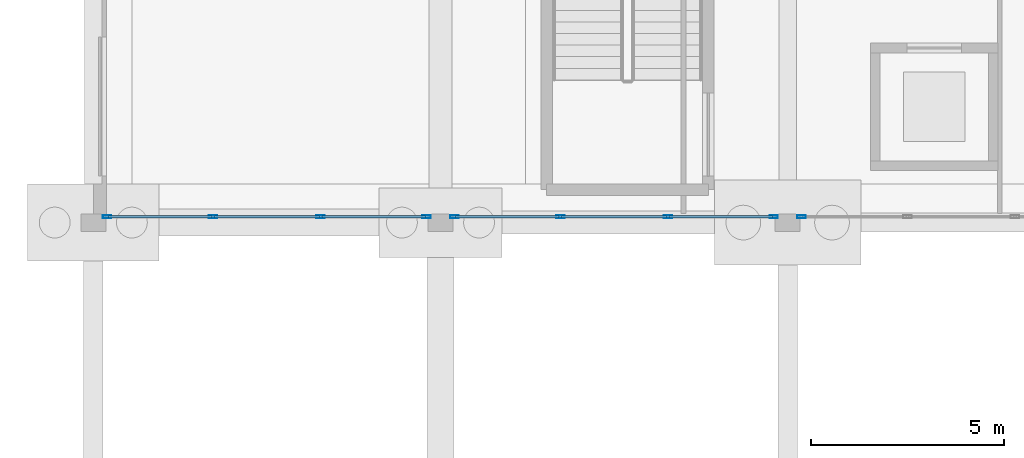
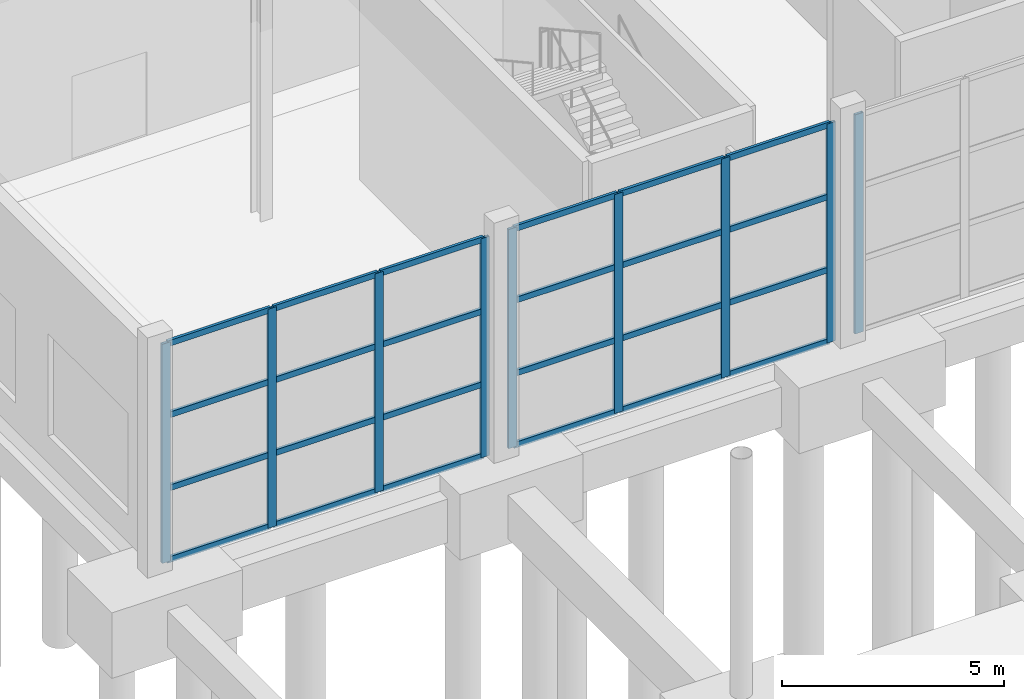
# One storey, part 48 of 115: 33 members, 3 elements without a shape of their own.
"""IFC4 building model written with IfcOpenShell, lengths in metres."""

from ifc_helpers import new_model, si_unit, direction, frame, origin, origin_2d, place, context, subcontext, project, spatial, hollow_rectangle, extrude, material, layer, layer_set, material_profile, profile_set, type_object, element, aggregate, save


model = new_model("IFC4")

# Units and contexts
model_context = context("Model", 3, precision=1e-05, world=origin(), true_north=direction((0.0, 1.0)))
body_context = subcontext(model_context, "Body", "Model", "MODEL_VIEW")
ifc_project = project(units=[si_unit("LENGTHUNIT", "METRE"), si_unit("AREAUNIT", "SQUARE_METRE"), si_unit("VOLUMEUNIT", "CUBIC_METRE"), si_unit("PLANEANGLEUNIT", "RADIAN"), si_unit("MASSUNIT", "GRAM", prefix="KILO")], contexts=[model_context])

# Site, building, storey
site_placement = place(None, origin())
site = spatial("IfcSite", under=ifc_project, at=site_placement, CompositionType="ELEMENT")
building_placement = place(site_placement, origin())
building = spatial("IfcBuilding", under=site, at=building_placement, Name="Tamarisk Ironworks Central Station", CompositionType="ELEMENT")
storey_placement = place(building_placement, origin())
storey = spatial("IfcBuildingStorey", under=building, at=storey_placement, Name="L00", CompositionType="ELEMENT", Elevation=0.0)

# Curtain wall, members
ifc_material = material(Name="Anodized aluminium alloy 6063-T6", Category="aluminium")
ifc_layer = layer(ifc_material, 0.179931640625)
ifc_layer_set = layer_set([ifc_layer], Name="Anodized aluminium alloy 6063-T6")
curtain_wall_type = type_object("IfcCurtainWallType", Name="CW-09", PredefinedType="USERDEFINED", material=ifc_layer_set)
curtain_wall_1_placement = place(storey_placement, origin())
curtain_wall_1 = element("IfcCurtainWall", 1, at=curtain_wall_1_placement, inside=storey, type_object=curtain_wall_type, Name="Pavilion L00 S glazed arcade 00", ObjectType="GLAZED CURTAIN WALL", PredefinedType="USERDEFINED")
ifc_material_profile_1 = material_profile(ifc_material, hollow_rectangle(XDim=0.074951171875, YDim=0.219970703125, WallThickness=0.00390625, at=origin_2d()), Name="ALUM 220x75")
ifc_profile_set_1 = profile_set([ifc_material_profile_1], Name="Anodized aluminium alloy 6063-T6")
member_type_1 = type_object("IfcMemberType", Name="CWM-01", PredefinedType="MULLION", material=ifc_profile_set_1)
member_1_placement = place(storey_placement, frame((0.360595703125, 90.14990234375, 0.0), z_axis=(0.0, 0.0, 1.0), x_axis=(0.0, 1.0, 0.0)))
member_1 = element("IfcMember", 2, at=member_1_placement, type_object=member_type_1, Name="CW09 mullion 1", PredefinedType="MULLION", context=body_context, shape_type="SweptSolid", body=[
    extrude(hollow_rectangle(XDim=0.074951171875, YDim=0.219970703125, WallThickness=0.00390625, at=origin_2d()), origin(), (0.0, 0.0, 1.0), 6.02001953125),
])
member_2_placement = place(storey_placement, frame((3.107666015625, 90.14990234375, 0.0), z_axis=(0.0, 0.0, 1.0), x_axis=(0.0, 1.0, 0.0)))
member_2 = element("IfcMember", 3, at=member_2_placement, type_object=member_type_1, Name="CW09 mullion 2", PredefinedType="MULLION", context=body_context, shape_type="SweptSolid", body=[
    extrude(hollow_rectangle(XDim=0.074951171875, YDim=0.219970703125, WallThickness=0.00390625, at=origin_2d()), origin(), (0.0, 0.0, 1.0), 6.02001953125),
])
member_3_placement = place(storey_placement, frame((5.892333984375, 90.14990234375, 0.0), z_axis=(0.0, 0.0, 1.0), x_axis=(0.0, 1.0, 0.0)))
member_3 = element("IfcMember", 4, at=member_3_placement, type_object=member_type_1, Name="CW09 mullion 3", PredefinedType="MULLION", context=body_context, shape_type="SweptSolid", body=[
    extrude(hollow_rectangle(XDim=0.074951171875, YDim=0.219970703125, WallThickness=0.00390625, at=origin_2d()), origin(), (0.0, 0.0, 1.0), 6.02001953125),
])
member_4_placement = place(storey_placement, frame((8.639404296875, 90.14990234375, 0.0), z_axis=(0.0, 0.0, 1.0), x_axis=(0.0, 1.0, 0.0)))
member_4 = element("IfcMember", 5, at=member_4_placement, type_object=member_type_1, Name="CW09 mullion 4", PredefinedType="MULLION", context=body_context, shape_type="SweptSolid", body=[
    extrude(hollow_rectangle(XDim=0.074951171875, YDim=0.219970703125, WallThickness=0.00390625, at=origin_2d()), origin(), (0.0, 0.0, 1.0), 6.02001953125),
])

curtain_wall_2_placement = place(storey_placement, origin())
curtain_wall_2 = element("IfcCurtainWall", 6, at=curtain_wall_2_placement, inside=storey, type_object=curtain_wall_type, Name="Pavilion L00 S glazed arcade 09", ObjectType="GLAZED CURTAIN WALL", PredefinedType="USERDEFINED")
member_5_placement = place(storey_placement, frame((9.360595703125, 90.14990234375, 0.0), z_axis=(0.0, 0.0, 1.0), x_axis=(0.0, 1.0, 0.0)))
member_5 = element("IfcMember", 7, at=member_5_placement, type_object=member_type_1, Name="CW09 mullion 1", PredefinedType="MULLION", context=body_context, shape_type="SweptSolid", body=[
    extrude(hollow_rectangle(XDim=0.074951171875, YDim=0.219970703125, WallThickness=0.00390625, at=origin_2d()), origin(), (0.0, 0.0, 1.0), 6.02001953125),
])
member_6_placement = place(storey_placement, frame((12.107666015625, 90.14990234375, 0.0), z_axis=(0.0, 0.0, 1.0), x_axis=(0.0, 1.0, 0.0)))
member_6 = element("IfcMember", 8, at=member_6_placement, type_object=member_type_1, Name="CW09 mullion 2", PredefinedType="MULLION", context=body_context, shape_type="SweptSolid", body=[
    extrude(hollow_rectangle(XDim=0.074951171875, YDim=0.219970703125, WallThickness=0.00390625, at=origin_2d()), origin(), (0.0, 0.0, 1.0), 6.02001953125),
])
member_7_placement = place(storey_placement, frame((14.892333984375, 90.14990234375, 0.0), z_axis=(0.0, 0.0, 1.0), x_axis=(0.0, 1.0, 0.0)))
member_7 = element("IfcMember", 9, at=member_7_placement, type_object=member_type_1, Name="CW09 mullion 3", PredefinedType="MULLION", context=body_context, shape_type="SweptSolid", body=[
    extrude(hollow_rectangle(XDim=0.074951171875, YDim=0.219970703125, WallThickness=0.00390625, at=origin_2d()), origin(), (0.0, 0.0, 1.0), 6.02001953125),
])
member_8_placement = place(storey_placement, frame((17.639404296875, 90.14990234375, 0.0), z_axis=(0.0, 0.0, 1.0), x_axis=(0.0, 1.0, 0.0)))
member_8 = element("IfcMember", 10, at=member_8_placement, type_object=member_type_1, Name="CW09 mullion 4", PredefinedType="MULLION", context=body_context, shape_type="SweptSolid", body=[
    extrude(hollow_rectangle(XDim=0.074951171875, YDim=0.219970703125, WallThickness=0.00390625, at=origin_2d()), origin(), (0.0, 0.0, 1.0), 6.02001953125),
])

# Curtain wall, member
curtain_wall_3_placement = place(storey_placement, origin())
curtain_wall_3 = element("IfcCurtainWall", 11, at=curtain_wall_3_placement, inside=storey, type_object=curtain_wall_type, Name="Pavilion L00 S glazed arcade 18", ObjectType="GLAZED CURTAIN WALL", PredefinedType="USERDEFINED")
member_9_placement = place(storey_placement, frame((18.360595703125, 90.14990234375, 0.0), z_axis=(0.0, 0.0, 1.0), x_axis=(0.0, 1.0, 0.0)))
member_9 = element("IfcMember", 12, at=member_9_placement, type_object=member_type_1, Name="CW09 mullion 1", PredefinedType="MULLION", context=body_context, shape_type="SweptSolid", body=[
    extrude(hollow_rectangle(XDim=0.074951171875, YDim=0.219970703125, WallThickness=0.00390625, at=origin_2d()), origin(), (0.0, 0.0, 1.0), 6.02001953125),
])
aggregate(curtain_wall_3, [member_9])

# Member
ifc_material_profile_2 = material_profile(ifc_material, hollow_rectangle(XDim=0.074951171875, YDim=0.159912109375, WallThickness=0.00390625, at=origin_2d()), Name="ALUM 160x75")
ifc_profile_set_2 = profile_set([ifc_material_profile_2], Name="Anodized aluminium alloy 6063-T6")
member_type_2 = type_object("IfcMemberType", Name="CWT-01", PredefinedType="USERDEFINED", material=ifc_profile_set_2)
member_10_placement = place(storey_placement, frame((0.39404296875, 90.14990234375, 0.03759765625), z_axis=(1.0, 0.0, 0.0), x_axis=(0.0, 1.0, 0.0)))
member_10 = element("IfcMember", 13, at=member_10_placement, type_object=member_type_2, Name="CW09 transom 1.1", ObjectType="TRANSOM", PredefinedType="USERDEFINED", context=body_context, shape_type="SweptSolid", body=[
    extrude(hollow_rectangle(XDim=0.074951171875, YDim=0.159912109375, WallThickness=0.00390625, at=origin_2d()), origin(), (0.0, 0.0, 1.0), 2.68017578125),
])

member_11_placement = place(storey_placement, frame((0.39404296875, 90.14990234375, 2.006591796875), z_axis=(1.0, 0.0, 0.0), x_axis=(0.0, 1.0, 0.0)))
member_11 = element("IfcMember", 14, at=member_11_placement, type_object=member_type_2, Name="CW09 transom 1.2", ObjectType="TRANSOM", PredefinedType="USERDEFINED", context=body_context, shape_type="SweptSolid", body=[
    extrude(hollow_rectangle(XDim=0.074951171875, YDim=0.159912109375, WallThickness=0.00390625, at=origin_2d()), origin(), (0.0, 0.0, 1.0), 2.68017578125),
])

member_12_placement = place(storey_placement, frame((0.39404296875, 90.14990234375, 4.01318359375), z_axis=(1.0, 0.0, 0.0), x_axis=(0.0, 1.0, 0.0)))
member_12 = element("IfcMember", 15, at=member_12_placement, type_object=member_type_2, Name="CW09 transom 1.3", ObjectType="TRANSOM", PredefinedType="USERDEFINED", context=body_context, shape_type="SweptSolid", body=[
    extrude(hollow_rectangle(XDim=0.074951171875, YDim=0.159912109375, WallThickness=0.00390625, at=origin_2d()), origin(), (0.0, 0.0, 1.0), 2.68017578125),
])

member_13_placement = place(storey_placement, frame((0.39404296875, 90.14990234375, 5.982421875), z_axis=(1.0, 0.0, 0.0), x_axis=(0.0, 1.0, 0.0)))
member_13 = element("IfcMember", 16, at=member_13_placement, type_object=member_type_2, Name="CW09 transom 1.4", ObjectType="TRANSOM", PredefinedType="USERDEFINED", context=body_context, shape_type="SweptSolid", body=[
    extrude(hollow_rectangle(XDim=0.074951171875, YDim=0.159912109375, WallThickness=0.00390625, at=origin_2d()), origin(), (0.0, 0.0, 1.0), 2.68017578125),
])

member_14_placement = place(storey_placement, frame((3.14111328125, 90.14990234375, 0.03759765625), z_axis=(1.0, 0.0, 0.0), x_axis=(0.0, 1.0, 0.0)))
member_14 = element("IfcMember", 17, at=member_14_placement, type_object=member_type_2, Name="CW09 transom 2.1", ObjectType="TRANSOM", PredefinedType="USERDEFINED", context=body_context, shape_type="SweptSolid", body=[
    extrude(hollow_rectangle(XDim=0.074951171875, YDim=0.159912109375, WallThickness=0.00390625, at=origin_2d()), origin(), (0.0, 0.0, 1.0), 2.7177734375),
])

member_15_placement = place(storey_placement, frame((3.14111328125, 90.14990234375, 2.006591796875), z_axis=(1.0, 0.0, 0.0), x_axis=(0.0, 1.0, 0.0)))
member_15 = element("IfcMember", 18, at=member_15_placement, type_object=member_type_2, Name="CW09 transom 2.2", ObjectType="TRANSOM", PredefinedType="USERDEFINED", context=body_context, shape_type="SweptSolid", body=[
    extrude(hollow_rectangle(XDim=0.074951171875, YDim=0.159912109375, WallThickness=0.00390625, at=origin_2d()), origin(), (0.0, 0.0, 1.0), 2.7177734375),
])

member_16_placement = place(storey_placement, frame((3.14111328125, 90.14990234375, 4.01318359375), z_axis=(1.0, 0.0, 0.0), x_axis=(0.0, 1.0, 0.0)))
member_16 = element("IfcMember", 19, at=member_16_placement, type_object=member_type_2, Name="CW09 transom 2.3", ObjectType="TRANSOM", PredefinedType="USERDEFINED", context=body_context, shape_type="SweptSolid", body=[
    extrude(hollow_rectangle(XDim=0.074951171875, YDim=0.159912109375, WallThickness=0.00390625, at=origin_2d()), origin(), (0.0, 0.0, 1.0), 2.7177734375),
])

member_17_placement = place(storey_placement, frame((3.14111328125, 90.14990234375, 5.982421875), z_axis=(1.0, 0.0, 0.0), x_axis=(0.0, 1.0, 0.0)))
member_17 = element("IfcMember", 20, at=member_17_placement, type_object=member_type_2, Name="CW09 transom 2.4", ObjectType="TRANSOM", PredefinedType="USERDEFINED", context=body_context, shape_type="SweptSolid", body=[
    extrude(hollow_rectangle(XDim=0.074951171875, YDim=0.159912109375, WallThickness=0.00390625, at=origin_2d()), origin(), (0.0, 0.0, 1.0), 2.7177734375),
])

member_18_placement = place(storey_placement, frame((5.92578125, 90.14990234375, 0.03759765625), z_axis=(1.0, 0.0, 0.0), x_axis=(0.0, 1.0, 0.0)))
member_18 = element("IfcMember", 21, at=member_18_placement, type_object=member_type_2, Name="CW09 transom 3.1", ObjectType="TRANSOM", PredefinedType="USERDEFINED", context=body_context, shape_type="SweptSolid", body=[
    extrude(hollow_rectangle(XDim=0.074951171875, YDim=0.159912109375, WallThickness=0.00390625, at=origin_2d()), origin(), (0.0, 0.0, 1.0), 2.68017578125),
])

member_19_placement = place(storey_placement, frame((5.92578125, 90.14990234375, 2.006591796875), z_axis=(1.0, 0.0, 0.0), x_axis=(0.0, 1.0, 0.0)))
member_19 = element("IfcMember", 22, at=member_19_placement, type_object=member_type_2, Name="CW09 transom 3.2", ObjectType="TRANSOM", PredefinedType="USERDEFINED", context=body_context, shape_type="SweptSolid", body=[
    extrude(hollow_rectangle(XDim=0.074951171875, YDim=0.159912109375, WallThickness=0.00390625, at=origin_2d()), origin(), (0.0, 0.0, 1.0), 2.68017578125),
])

member_20_placement = place(storey_placement, frame((5.92578125, 90.14990234375, 4.01318359375), z_axis=(1.0, 0.0, 0.0), x_axis=(0.0, 1.0, 0.0)))
member_20 = element("IfcMember", 23, at=member_20_placement, type_object=member_type_2, Name="CW09 transom 3.3", ObjectType="TRANSOM", PredefinedType="USERDEFINED", context=body_context, shape_type="SweptSolid", body=[
    extrude(hollow_rectangle(XDim=0.074951171875, YDim=0.159912109375, WallThickness=0.00390625, at=origin_2d()), origin(), (0.0, 0.0, 1.0), 2.68017578125),
])

member_21_placement = place(storey_placement, frame((5.92578125, 90.14990234375, 5.982421875), z_axis=(1.0, 0.0, 0.0), x_axis=(0.0, 1.0, 0.0)))
member_21 = element("IfcMember", 24, at=member_21_placement, type_object=member_type_2, Name="CW09 transom 3.4", ObjectType="TRANSOM", PredefinedType="USERDEFINED", context=body_context, shape_type="SweptSolid", body=[
    extrude(hollow_rectangle(XDim=0.074951171875, YDim=0.159912109375, WallThickness=0.00390625, at=origin_2d()), origin(), (0.0, 0.0, 1.0), 2.68017578125),
])

aggregate(curtain_wall_1, [member_1, member_2, member_3, member_4, member_10, member_11, member_12, member_13, member_14, member_15, member_16, member_17, member_18, member_19, member_20, member_21])

member_22_placement = place(storey_placement, frame((9.39404296875, 90.14990234375, 0.03759765625), z_axis=(1.0, 0.0, 0.0), x_axis=(0.0, 1.0, 0.0)))
member_22 = element("IfcMember", 25, at=member_22_placement, type_object=member_type_2, Name="CW09 transom 1.1", ObjectType="TRANSOM", PredefinedType="USERDEFINED", context=body_context, shape_type="SweptSolid", body=[
    extrude(hollow_rectangle(XDim=0.074951171875, YDim=0.159912109375, WallThickness=0.00390625, at=origin_2d()), origin(), (0.0, 0.0, 1.0), 2.68017578125),
])

member_23_placement = place(storey_placement, frame((9.39404296875, 90.14990234375, 2.006591796875), z_axis=(1.0, 0.0, 0.0), x_axis=(0.0, 1.0, 0.0)))
member_23 = element("IfcMember", 26, at=member_23_placement, type_object=member_type_2, Name="CW09 transom 1.2", ObjectType="TRANSOM", PredefinedType="USERDEFINED", context=body_context, shape_type="SweptSolid", body=[
    extrude(hollow_rectangle(XDim=0.074951171875, YDim=0.159912109375, WallThickness=0.00390625, at=origin_2d()), origin(), (0.0, 0.0, 1.0), 2.68017578125),
])

member_24_placement = place(storey_placement, frame((9.39404296875, 90.14990234375, 4.01318359375), z_axis=(1.0, 0.0, 0.0), x_axis=(0.0, 1.0, 0.0)))
member_24 = element("IfcMember", 27, at=member_24_placement, type_object=member_type_2, Name="CW09 transom 1.3", ObjectType="TRANSOM", PredefinedType="USERDEFINED", context=body_context, shape_type="SweptSolid", body=[
    extrude(hollow_rectangle(XDim=0.074951171875, YDim=0.159912109375, WallThickness=0.00390625, at=origin_2d()), origin(), (0.0, 0.0, 1.0), 2.68017578125),
])

member_25_placement = place(storey_placement, frame((9.39404296875, 90.14990234375, 5.982421875), z_axis=(1.0, 0.0, 0.0), x_axis=(0.0, 1.0, 0.0)))
member_25 = element("IfcMember", 28, at=member_25_placement, type_object=member_type_2, Name="CW09 transom 1.4", ObjectType="TRANSOM", PredefinedType="USERDEFINED", context=body_context, shape_type="SweptSolid", body=[
    extrude(hollow_rectangle(XDim=0.074951171875, YDim=0.159912109375, WallThickness=0.00390625, at=origin_2d()), origin(), (0.0, 0.0, 1.0), 2.68017578125),
])

member_26_placement = place(storey_placement, frame((12.14111328125, 90.14990234375, 0.03759765625), z_axis=(1.0, 0.0, 0.0), x_axis=(0.0, 1.0, 0.0)))
member_26 = element("IfcMember", 29, at=member_26_placement, type_object=member_type_2, Name="CW09 transom 2.1", ObjectType="TRANSOM", PredefinedType="USERDEFINED", context=body_context, shape_type="SweptSolid", body=[
    extrude(hollow_rectangle(XDim=0.074951171875, YDim=0.159912109375, WallThickness=0.00390625, at=origin_2d()), origin(), (0.0, 0.0, 1.0), 2.7177734375),
])

member_27_placement = place(storey_placement, frame((12.14111328125, 90.14990234375, 2.006591796875), z_axis=(1.0, 0.0, 0.0), x_axis=(0.0, 1.0, 0.0)))
member_27 = element("IfcMember", 30, at=member_27_placement, type_object=member_type_2, Name="CW09 transom 2.2", ObjectType="TRANSOM", PredefinedType="USERDEFINED", context=body_context, shape_type="SweptSolid", body=[
    extrude(hollow_rectangle(XDim=0.074951171875, YDim=0.159912109375, WallThickness=0.00390625, at=origin_2d()), origin(), (0.0, 0.0, 1.0), 2.7177734375),
])

member_28_placement = place(storey_placement, frame((12.14111328125, 90.14990234375, 4.01318359375), z_axis=(1.0, 0.0, 0.0), x_axis=(0.0, 1.0, 0.0)))
member_28 = element("IfcMember", 31, at=member_28_placement, type_object=member_type_2, Name="CW09 transom 2.3", ObjectType="TRANSOM", PredefinedType="USERDEFINED", context=body_context, shape_type="SweptSolid", body=[
    extrude(hollow_rectangle(XDim=0.074951171875, YDim=0.159912109375, WallThickness=0.00390625, at=origin_2d()), origin(), (0.0, 0.0, 1.0), 2.7177734375),
])

member_29_placement = place(storey_placement, frame((12.14111328125, 90.14990234375, 5.982421875), z_axis=(1.0, 0.0, 0.0), x_axis=(0.0, 1.0, 0.0)))
member_29 = element("IfcMember", 32, at=member_29_placement, type_object=member_type_2, Name="CW09 transom 2.4", ObjectType="TRANSOM", PredefinedType="USERDEFINED", context=body_context, shape_type="SweptSolid", body=[
    extrude(hollow_rectangle(XDim=0.074951171875, YDim=0.159912109375, WallThickness=0.00390625, at=origin_2d()), origin(), (0.0, 0.0, 1.0), 2.7177734375),
])

member_30_placement = place(storey_placement, frame((14.92578125, 90.14990234375, 0.03759765625), z_axis=(1.0, 0.0, 0.0), x_axis=(0.0, 1.0, 0.0)))
member_30 = element("IfcMember", 33, at=member_30_placement, type_object=member_type_2, Name="CW09 transom 3.1", ObjectType="TRANSOM", PredefinedType="USERDEFINED", context=body_context, shape_type="SweptSolid", body=[
    extrude(hollow_rectangle(XDim=0.074951171875, YDim=0.159912109375, WallThickness=0.00390625, at=origin_2d()), origin(), (0.0, 0.0, 1.0), 2.68017578125),
])

member_31_placement = place(storey_placement, frame((14.92578125, 90.14990234375, 2.006591796875), z_axis=(1.0, 0.0, 0.0), x_axis=(0.0, 1.0, 0.0)))
member_31 = element("IfcMember", 34, at=member_31_placement, type_object=member_type_2, Name="CW09 transom 3.2", ObjectType="TRANSOM", PredefinedType="USERDEFINED", context=body_context, shape_type="SweptSolid", body=[
    extrude(hollow_rectangle(XDim=0.074951171875, YDim=0.159912109375, WallThickness=0.00390625, at=origin_2d()), origin(), (0.0, 0.0, 1.0), 2.68017578125),
])

member_32_placement = place(storey_placement, frame((14.92578125, 90.14990234375, 4.01318359375), z_axis=(1.0, 0.0, 0.0), x_axis=(0.0, 1.0, 0.0)))
member_32 = element("IfcMember", 35, at=member_32_placement, type_object=member_type_2, Name="CW09 transom 3.3", ObjectType="TRANSOM", PredefinedType="USERDEFINED", context=body_context, shape_type="SweptSolid", body=[
    extrude(hollow_rectangle(XDim=0.074951171875, YDim=0.159912109375, WallThickness=0.00390625, at=origin_2d()), origin(), (0.0, 0.0, 1.0), 2.68017578125),
])

member_33_placement = place(storey_placement, frame((14.92578125, 90.14990234375, 5.982421875), z_axis=(1.0, 0.0, 0.0), x_axis=(0.0, 1.0, 0.0)))
member_33 = element("IfcMember", 36, at=member_33_placement, type_object=member_type_2, Name="CW09 transom 3.4", ObjectType="TRANSOM", PredefinedType="USERDEFINED", context=body_context, shape_type="SweptSolid", body=[
    extrude(hollow_rectangle(XDim=0.074951171875, YDim=0.159912109375, WallThickness=0.00390625, at=origin_2d()), origin(), (0.0, 0.0, 1.0), 2.68017578125),
])

aggregate(curtain_wall_2, [member_5, member_6, member_7, member_8, member_22, member_23, member_24, member_25, member_26, member_27, member_28, member_29, member_30, member_31, member_32, member_33])

save(model, "model.ifc")
